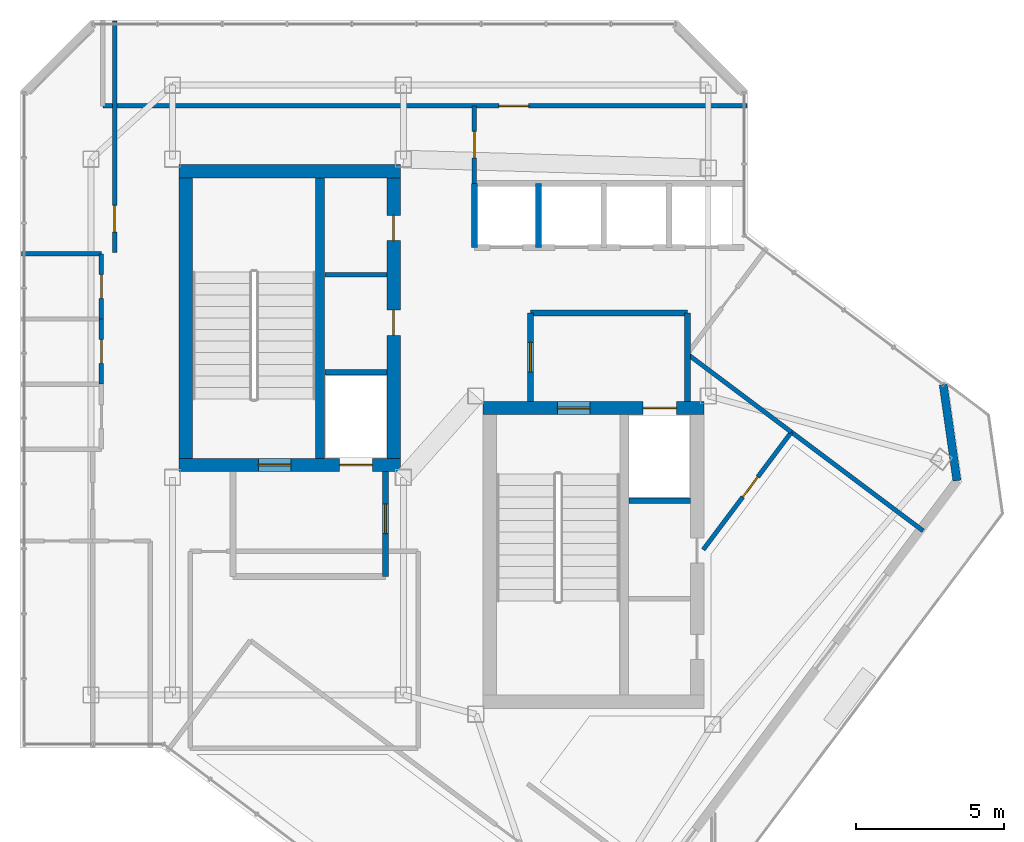
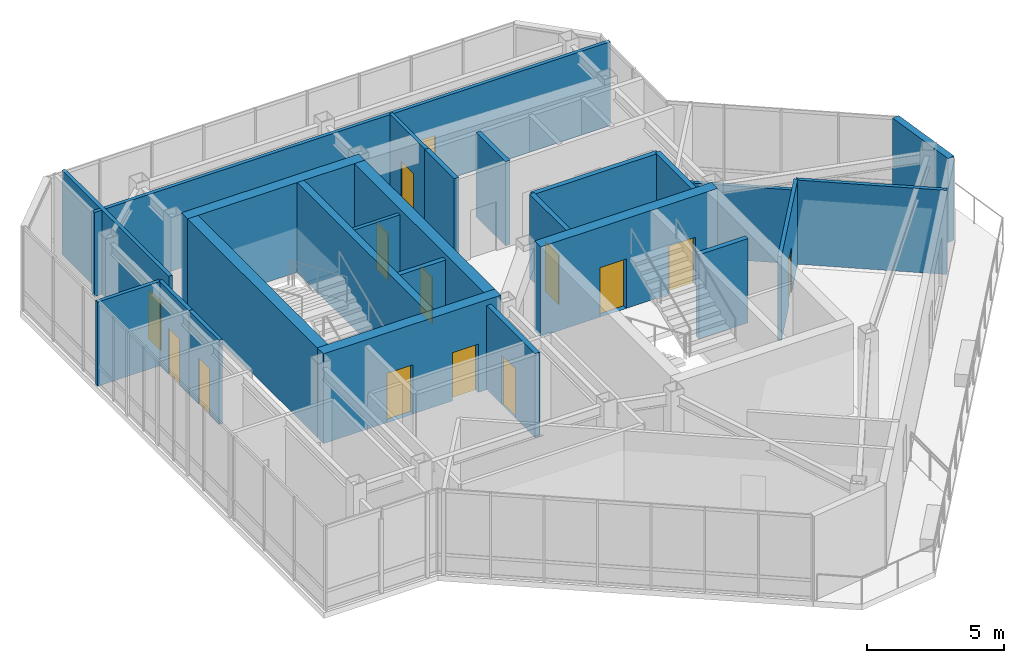
# One storey, part 19 of 23: 25 walls, 14 doors, 14 openings.
"""IFC4 building model written with IfcOpenShell, lengths in metres."""

from ifc_helpers import new_model, si_unit, direction, frame, frame_2d, origin, place, context, subcontext, project, spatial, rectangle, extrude, material, layer, layer_set, type_object, element, fill, save


model = new_model("IFC4")

# Units and contexts
model_context = context("Model", 3, precision=1e-05, world=origin(), true_north=direction((0.0, 1.0)))
body_context = subcontext(model_context, "Body", "Model", "MODEL_VIEW")
ifc_project = project(units=[si_unit("LENGTHUNIT", "METRE"), si_unit("AREAUNIT", "SQUARE_METRE"), si_unit("VOLUMEUNIT", "CUBIC_METRE"), si_unit("PLANEANGLEUNIT", "RADIAN"), si_unit("MASSUNIT", "GRAM", prefix="KILO")], contexts=[model_context])

# Site, building, storey
site_placement = place(None, origin())
site = spatial("IfcSite", under=ifc_project, at=site_placement, CompositionType="ELEMENT")
building_placement = place(site_placement, origin())
building = spatial("IfcBuilding", under=site, at=building_placement, Name="Hatsunagi Terrace Concourse", CompositionType="ELEMENT")
storey_placement = place(building_placement, frame((0.0, 0.0, 281.949951171875)))
storey = spatial("IfcBuildingStorey", under=building, at=storey_placement, Name="L74", CompositionType="ELEMENT", Elevation=281.949951171875)

# Wall, openings, doors
ifc_material_1 = material(Name="Concrete Fc42", Category="concrete")
ifc_layer_1 = layer(ifc_material_1, 0.449951171875)
ifc_layer_set_1 = layer_set([ifc_layer_1], Name="CoreShearWall_Fc42_450")
wall_type_1 = type_object("IfcWallType", Name="CoreShearWall_Fc42_450", PredefinedType="SHEAR", material=ifc_layer_set_1)
wall_1_placement = place(storey_placement, frame((25.77001953125, 32.965087890625, 0.0), z_axis=(0.0, 0.0, 1.0), x_axis=(1.0, 0.0, 0.0)))
wall_1 = element("IfcWall", 1, at=wall_1_placement, inside=storey, type_object=wall_type_1, Name="Core A Shear Wall S L74", PredefinedType="SHEAR", context=body_context, shape_type="SweptSolid", body=[
    extrude(rectangle(XDim=7.47998046875, YDim=0.449951171875, at=frame_2d((3.739990234375, 0.0))), origin(), (0.0, 0.0, 1.0), 4.0),
])
opening_1_placement = place(wall_1_placement, frame((2.679931640625, 0.0, 0.0)))
opening_1 = element("IfcOpeningElement", 2, at=opening_1_placement, cuts=wall_1, Name="Opening DR-110S", PredefinedType="OPENING", context=body_context, shape_type="SweptSolid", body=[
    extrude(rectangle(XDim=1.10009765625, YDim=2.199951171875, at=frame_2d((0.550048828125, 1.10009765625))), frame((0.0, 0.23486328125, 0.0), z_axis=(0.0, -1.0, 0.0), x_axis=(1.0, 0.0, 0.0)), (0.0, 0.0, 1.0), 0.469970703125),
])
opening_2_placement = place(wall_1_placement, frame((5.429931640625, 0.0, 0.0)))
opening_2 = element("IfcOpeningElement", 3, at=opening_2_placement, cuts=wall_1, Name="Opening LD-01", PredefinedType="OPENING", context=body_context, shape_type="SweptSolid", body=[
    extrude(rectangle(XDim=1.10009765625, YDim=2.14990234375, at=frame_2d((0.550048828125, 1.074951171875))), frame((0.0, 0.23486328125, 0.0), z_axis=(0.0, -1.0, 0.0), x_axis=(1.0, 0.0, 0.0)), (0.0, 0.0, 1.0), 0.469970703125),
])
ifc_material_2 = material(Name="Stainless steel", Category="steel")
door_type_1 = type_object("IfcDoorType", Name="LiftLandingDoor_LD01", OperationType="SLIDING_TO_LEFT", PredefinedType="USERDEFINED", material=ifc_material_2)
door_1_placement = place(opening_2_placement, origin())
door_1 = element("IfcDoor", 4, at=door_1_placement, inside=storey, type_object=door_type_1, Name="Lift landing door FF-01 L74", ObjectType="SLIDING_LANDING_DOOR", OperationType="SLIDING_TO_LEFT", OverallHeight=2.14990234375, OverallWidth=1.10009765625, PredefinedType="USERDEFINED", context=body_context, shape_type="SweptSolid", body=[
    extrude(rectangle(XDim=1.10009765625, YDim=2.14990234375, at=frame_2d((0.550048828125, 1.074951171875))), frame((0.0, 0.02490234375, 0.0), z_axis=(0.0, -1.0, 0.0), x_axis=(1.0, 0.0, 0.0)), (0.0, 0.0, 1.0), 0.050048828125),
])
fill(opening_2, door_1)
ifc_material_3 = material(Name="Painted steel", Category="steel")
door_type_2 = type_object("IfcDoorType", Name="StairFireDoor_EI60_1100", OperationType="NOTDEFINED", PredefinedType="DOOR", material=ifc_material_3)
door_2_placement = place(opening_1_placement, origin())
door_2 = element("IfcDoor", 5, at=door_2_placement, inside=storey, type_object=door_type_2, Name="Stair ST-A Exit Door L74", OperationType="SINGLE_SWING_LEFT", OverallHeight=2.199951171875, OverallWidth=1.10009765625, PredefinedType="DOOR", context=body_context, shape_type="SweptSolid", body=[
    extrude(rectangle(XDim=1.10009765625, YDim=2.199951171875, at=frame_2d((0.550048828125, 1.10009765625))), frame((0.0, 0.02490234375, 0.0), z_axis=(0.0, -1.0, 0.0), x_axis=(1.0, 0.0, 0.0)), (0.0, 0.0, 1.0), 0.050048828125),
])
fill(opening_1, door_2)

# Walls
wall_2_placement = place(storey_placement, frame((25.77001953125, 42.89501953125, 0.0), z_axis=(0.0, 0.0, 1.0), x_axis=(1.0, 0.0, 0.0)))
element("IfcWall", 6, at=wall_2_placement, inside=storey, type_object=wall_type_1, Name="Core A Shear Wall N L74", PredefinedType="SHEAR", context=body_context, shape_type="SweptSolid", body=[
    extrude(rectangle(XDim=7.47998046875, YDim=0.449951171875, at=frame_2d((3.739990234375, 0.0))), origin(), (0.0, 0.0, 1.0), 4.0),
])
wall_3_placement = place(storey_placement, frame((25.9951171875, 33.18994140625, 0.0), z_axis=(0.0, 0.0, 1.0), x_axis=(0.0, 1.0, 0.0)))
element("IfcWall", 7, at=wall_3_placement, inside=storey, type_object=wall_type_1, Name="Core A Shear Wall W L74", PredefinedType="SHEAR", context=body_context, shape_type="SweptSolid", body=[
    extrude(rectangle(XDim=9.47998046875, YDim=0.449951171875, at=frame_2d((4.739990234375, 0.0))), origin(), (0.0, 0.0, 1.0), 4.0),
])

# Wall, openings, doors
wall_4_placement = place(storey_placement, frame((33.02490234375, 33.18994140625, 0.0), z_axis=(0.0, 0.0, 1.0), x_axis=(0.0, 1.0, 0.0)))
wall_4 = element("IfcWall", 8, at=wall_4_placement, inside=storey, type_object=wall_type_1, Name="Core A Shear Wall E L74", PredefinedType="SHEAR", context=body_context, shape_type="SweptSolid", body=[
    extrude(rectangle(XDim=9.47998046875, YDim=0.449951171875, at=frame_2d((4.739990234375, 0.0))), origin(), (0.0, 0.0, 1.0), 4.0),
])
opening_3_placement = place(wall_4_placement, frame((4.159912109375, 0.0, 0.0)))
opening_3 = element("IfcOpeningElement", 9, at=opening_3_placement, cuts=wall_4, Name="Opening DR-085", PredefinedType="OPENING", context=body_context, shape_type="SweptSolid", body=[
    extrude(rectangle(XDim=0.85009765625, YDim=2.080078125, at=frame_2d((0.425048828125, 1.0400390625))), frame((0.0, 0.23486328125, 0.0), z_axis=(0.0, -1.0, 0.0), x_axis=(1.0, 0.0, 0.0)), (0.0, 0.0, 1.0), 0.469970703125),
])
opening_4_placement = place(wall_4_placement, frame((7.360107421875, 0.0, 0.0)))
opening_4 = element("IfcOpeningElement", 10, at=opening_4_placement, cuts=wall_4, Name="Opening DR-085", PredefinedType="OPENING", context=body_context, shape_type="SweptSolid", body=[
    extrude(rectangle(XDim=0.85009765625, YDim=2.080078125, at=frame_2d((0.425048828125, 1.0400390625))), frame((0.0, 0.23486328125, 0.0), z_axis=(0.0, -1.0, 0.0), x_axis=(1.0, 0.0, 0.0)), (0.0, 0.0, 1.0), 0.469970703125),
])
ifc_material_4 = material(Name="Painted steel", Category="steel")
door_type_3 = type_object("IfcDoorType", Name="RiserAccessDoor_EI60_850", OperationType="NOTDEFINED", PredefinedType="DOOR", material=ifc_material_4)
door_3_placement = place(opening_3_placement, origin())
door_3 = element("IfcDoor", 11, at=door_3_placement, inside=storey, type_object=door_type_3, Name="Core A Riser Door L74-1", OperationType="SINGLE_SWING_LEFT", OverallHeight=2.080078125, OverallWidth=0.85009765625, PredefinedType="DOOR", context=body_context, shape_type="SweptSolid", body=[
    extrude(rectangle(XDim=0.85009765625, YDim=2.080078125, at=frame_2d((0.425048828125, 1.0400390625))), frame((0.0, 0.02490234375, 0.0), z_axis=(0.0, -1.0, 0.0), x_axis=(1.0, 0.0, 0.0)), (0.0, 0.0, 1.0), 0.050048828125),
])
fill(opening_3, door_3)
door_4_placement = place(opening_4_placement, origin())
door_4 = element("IfcDoor", 12, at=door_4_placement, inside=storey, type_object=door_type_3, Name="Core A Riser Door L74-2", OperationType="SINGLE_SWING_LEFT", OverallHeight=2.080078125, OverallWidth=0.85009765625, PredefinedType="DOOR", context=body_context, shape_type="SweptSolid", body=[
    extrude(rectangle(XDim=0.85009765625, YDim=2.080078125, at=frame_2d((0.425048828125, 1.0400390625))), frame((0.0, 0.02490234375, 0.0), z_axis=(0.0, -1.0, 0.0), x_axis=(1.0, 0.0, 0.0)), (0.0, 0.0, 1.0), 0.050048828125),
])
fill(opening_4, door_4)

wall_5_placement = place(storey_placement, frame((36.0400390625, 34.89501953125, 0.0), z_axis=(0.0, 0.0, 1.0), x_axis=(1.0, 0.0, 0.0)))
wall_5 = element("IfcWall", 13, at=wall_5_placement, inside=storey, type_object=wall_type_1, Name="Core B Shear Wall N L74", PredefinedType="SHEAR", context=body_context, shape_type="SweptSolid", body=[
    extrude(rectangle(XDim=7.4599609375, YDim=0.449951171875, at=frame_2d((3.72998046875, 0.0))), origin(), (0.0, 0.0, 1.0), 4.0),
])
opening_5_placement = place(wall_5_placement, frame((2.510009765625, 0.0, 0.0)))
opening_5 = element("IfcOpeningElement", 14, at=opening_5_placement, cuts=wall_5, Name="Opening DR-110S", PredefinedType="OPENING", context=body_context, shape_type="SweptSolid", body=[
    extrude(rectangle(XDim=1.10009765625, YDim=2.199951171875, at=frame_2d((0.550048828125, 1.10009765625))), frame((0.0, 0.23486328125, 0.0), z_axis=(0.0, -1.0, 0.0), x_axis=(1.0, 0.0, 0.0)), (0.0, 0.0, 1.0), 0.469970703125),
])
opening_6_placement = place(wall_5_placement, frame((5.409912109375, 0.0, 0.0)))
opening_6 = element("IfcOpeningElement", 15, at=opening_6_placement, cuts=wall_5, Name="Opening LD-02", PredefinedType="OPENING", context=body_context, shape_type="SweptSolid", body=[
    extrude(rectangle(XDim=1.1201171875, YDim=2.14990234375, at=frame_2d((0.56005859375, 1.074951171875))), frame((0.0, 0.23486328125, 0.0), z_axis=(0.0, -1.0, 0.0), x_axis=(1.0, 0.0, 0.0)), (0.0, 0.0, 1.0), 0.469970703125),
])
ifc_material_5 = material(Name="Stainless steel", Category="steel")
door_type_4 = type_object("IfcDoorType", Name="LiftLandingDoor_LD02", OperationType="SLIDING_TO_RIGHT", PredefinedType="USERDEFINED", material=ifc_material_5)
door_5_placement = place(opening_6_placement, origin())
door_5 = element("IfcDoor", 16, at=door_5_placement, inside=storey, type_object=door_type_4, Name="Lift landing door FF-02 L74", ObjectType="SLIDING_LANDING_DOOR", OperationType="SLIDING_TO_RIGHT", OverallHeight=2.14990234375, OverallWidth=1.1201171875, PredefinedType="USERDEFINED", context=body_context, shape_type="SweptSolid", body=[
    extrude(rectangle(XDim=1.1201171875, YDim=2.14990234375, at=frame_2d((0.56005859375, 1.074951171875))), frame((0.0, 0.02490234375, 0.0), z_axis=(0.0, -1.0, 0.0), x_axis=(1.0, 0.0, 0.0)), (0.0, 0.0, 1.0), 0.050048828125),
])
fill(opening_6, door_5)
door_6_placement = place(opening_5_placement, origin())
door_6 = element("IfcDoor", 17, at=door_6_placement, inside=storey, type_object=door_type_2, Name="Stair ST-B Exit Door L74", OperationType="SINGLE_SWING_RIGHT", OverallHeight=2.199951171875, OverallWidth=1.10009765625, PredefinedType="DOOR", context=body_context, shape_type="SweptSolid", body=[
    extrude(rectangle(XDim=1.10009765625, YDim=2.199951171875, at=frame_2d((0.550048828125, 1.10009765625))), frame((0.0, 0.02490234375, 0.0), z_axis=(0.0, -1.0, 0.0), x_axis=(1.0, 0.0, 0.0)), (0.0, 0.0, 1.0), 0.050048828125),
])
fill(opening_5, door_6)

# Walls
ifc_material_6 = material(Name="Concrete Fc48", Category="concrete")
ifc_layer_2 = layer(ifc_material_6, 0.300048828125)
ifc_layer_set_2 = layer_set([ifc_layer_2], Name="CoreStairDivider_Fc48_300")
wall_type_2 = type_object("IfcWallType", Name="CoreStairDivider_Fc48_300", PredefinedType="SHEAR", material=ifc_layer_set_2)
wall_6_placement = place(storey_placement, frame((30.5400390625, 33.18994140625, 0.0), z_axis=(0.0, 0.0, 1.0), x_axis=(0.0, 1.0, 0.0)))
element("IfcWall", 18, at=wall_6_placement, inside=storey, type_object=wall_type_2, Name="Core A Shear Wall D L74", PredefinedType="SHEAR", context=body_context, shape_type="SweptSolid", body=[
    extrude(rectangle(XDim=9.47998046875, YDim=0.300048828125, at=frame_2d((4.739990234375, 0.0))), origin(), (0.0, 0.0, 1.0), 4.0),
])
ifc_material_7 = material(Name="Acoustic mineral board", Category="gypsum")
ifc_layer_3 = layer(ifc_material_7, 0.14990234375)
ifc_layer_set_3 = layer_set([ifc_layer_3], Name="PartitionWall_EI60_150")
wall_type_3 = type_object("IfcWallType", Name="PartitionWall_EI60_150", PredefinedType="PARTITIONING", material=ifc_layer_set_3)
wall_7_placement = place(storey_placement, frame((30.699951171875, 39.39990234375, 0.0), z_axis=(0.0, 0.0, 1.0), x_axis=(1.0, 0.0, 0.0)))
element("IfcWall", 19, at=wall_7_placement, inside=storey, type_object=wall_type_3, Name="Interior Partition IW-L74-002", PredefinedType="PARTITIONING", context=body_context, shape_type="SweptSolid", body=[
    extrude(rectangle(XDim=2.10009765625, YDim=0.14990234375, at=frame_2d((1.050048828125, 0.0))), origin(), (0.0, 0.0, 1.0), 3.75),
])
wall_8_placement = place(storey_placement, frame((20.449951171875, 40.10009765625, 0.0), z_axis=(0.0, 0.0, 1.0), x_axis=(1.0, 0.0, 0.0)))
element("IfcWall", 20, at=wall_8_placement, inside=storey, type_object=wall_type_3, Name="Interior Partition IW-L74-018", PredefinedType="PARTITIONING", context=body_context, shape_type="SweptSolid", body=[
    extrude(rectangle(XDim=2.699951171875, YDim=0.14990234375, at=frame_2d((1.35009765625, 0.0))), origin(), (0.0, 0.0, 1.0), 3.75),
])

# Wall, opening, door
wall_9_placement = place(storey_placement, frame((23.14990234375, 35.699951171875, 0.0), z_axis=(0.0, 0.0, 1.0), x_axis=(0.0, 1.0, 0.0)))
wall_9 = element("IfcWall", 21, at=wall_9_placement, inside=storey, type_object=wall_type_3, Name="Interior Partition IW-L74-022", PredefinedType="PARTITIONING", context=body_context, shape_type="SweptSolid", body=[
    extrude(rectangle(XDim=2.199951171875, YDim=0.14990234375, at=frame_2d((1.10009765625, 0.0))), origin(), (0.0, 0.0, 1.0), 3.75),
])
opening_7_placement = place(wall_9_placement, frame((0.699951171875, 0.0, 0.0)))
opening_7 = element("IfcOpeningElement", 22, at=opening_7_placement, cuts=wall_9, Name="Opening DR-080", PredefinedType="OPENING", context=body_context, shape_type="SweptSolid", body=[
    extrude(rectangle(XDim=0.800048828125, YDim=2.06005859375, at=frame_2d((0.39990234375, 1.030029296875))), frame((0.0, 0.0849609375, 0.0), z_axis=(0.0, -1.0, 0.0), x_axis=(1.0, 0.0, 0.0)), (0.0, 0.0, 1.0), 0.169921875),
])
ifc_material_8 = material(Name="Hardwood timber", Category="wood")
door_type_5 = type_object("IfcDoorType", Name="BathroomDoor_800", OperationType="NOTDEFINED", PredefinedType="DOOR", material=ifc_material_8)
door_7_placement = place(opening_7_placement, origin())
door_7 = element("IfcDoor", 23, at=door_7_placement, inside=storey, type_object=door_type_5, Name="Female Restroom Door L74", OperationType="SINGLE_SWING_LEFT", OverallHeight=2.06005859375, OverallWidth=0.800048828125, PredefinedType="DOOR", context=body_context, shape_type="SweptSolid", body=[
    extrude(rectangle(XDim=0.800048828125, YDim=2.06005859375, at=frame_2d((0.39990234375, 1.030029296875))), frame((0.0, 0.02490234375, 0.0), z_axis=(0.0, -1.0, 0.0), x_axis=(1.0, 0.0, 0.0)), (0.0, 0.0, 1.0), 0.050048828125),
])
fill(opening_7, door_7)

wall_10_placement = place(storey_placement, frame((23.14990234375, 37.89990234375, 0.0), z_axis=(0.0, 0.0, 1.0), x_axis=(0.0, 1.0, 0.0)))
wall_10 = element("IfcWall", 24, at=wall_10_placement, inside=storey, type_object=wall_type_3, Name="Interior Partition IW-L74-023", PredefinedType="PARTITIONING", context=body_context, shape_type="SweptSolid", body=[
    extrude(rectangle(XDim=2.2001953125, YDim=0.14990234375, at=frame_2d((1.10009765625, 0.0))), origin(), (0.0, 0.0, 1.0), 3.75),
])
opening_8_placement = place(wall_10_placement, frame((0.699951171875, 0.0, 0.0)))
opening_8 = element("IfcOpeningElement", 25, at=opening_8_placement, cuts=wall_10, Name="Opening DR-080", PredefinedType="OPENING", context=body_context, shape_type="SweptSolid", body=[
    extrude(rectangle(XDim=0.800048828125, YDim=2.06005859375, at=frame_2d((0.39990234375, 1.030029296875))), frame((0.0, 0.0849609375, 0.0), z_axis=(0.0, -1.0, 0.0), x_axis=(1.0, 0.0, 0.0)), (0.0, 0.0, 1.0), 0.169921875),
])
door_8_placement = place(opening_8_placement, origin())
door_8 = element("IfcDoor", 26, at=door_8_placement, inside=storey, type_object=door_type_5, Name="Male Restroom Door L74", OperationType="SINGLE_SWING_RIGHT", OverallHeight=2.06005859375, OverallWidth=0.800048828125, PredefinedType="DOOR", context=body_context, shape_type="SweptSolid", body=[
    extrude(rectangle(XDim=0.800048828125, YDim=2.06005859375, at=frame_2d((0.39990234375, 1.030029296875))), frame((0.0, 0.02490234375, 0.0), z_axis=(0.0, -1.0, 0.0), x_axis=(1.0, 0.0, 0.0)), (0.0, 0.0, 1.0), 0.050048828125),
])
fill(opening_8, door_8)

wall_11_placement = place(storey_placement, frame((23.199951171875, 45.10009765625, 0.0), z_axis=(0.0, 0.0, 1.0), x_axis=(1.0, 0.0, 0.0)))
wall_11 = element("IfcWall", 27, at=wall_11_placement, inside=storey, type_object=wall_type_3, Name="Interior Partition IW-L74-028", PredefinedType="PARTITIONING", context=body_context, shape_type="SweptSolid", body=[
    extrude(rectangle(XDim=21.760009765625, YDim=0.14990234375, at=frame_2d((10.8798828125, 0.0))), origin(), (0.0, 0.0, 1.0), 3.75),
])
opening_9_placement = place(wall_11_placement, frame((13.3798828125, 0.0, 0.0)))
opening_9 = element("IfcOpeningElement", 28, at=opening_9_placement, cuts=wall_11, Name="Opening DR-100S", PredefinedType="OPENING", context=body_context, shape_type="SweptSolid", body=[
    extrude(rectangle(XDim=1.0, YDim=2.14990234375, at=frame_2d((0.5, 1.074951171875))), frame((0.0, 0.0849609375, 0.0), z_axis=(0.0, -1.0, 0.0), x_axis=(1.0, 0.0, 0.0)), (0.0, 0.0, 1.0), 0.169921875),
])
ifc_material_9 = material(Name="Hardwood timber", Category="wood")
door_type_6 = type_object("IfcDoorType", Name="SuiteDoor_EI30_1000", OperationType="NOTDEFINED", PredefinedType="DOOR", material=ifc_material_9)
door_9_placement = place(opening_9_placement, origin())
door_9 = element("IfcDoor", 29, at=door_9_placement, inside=storey, type_object=door_type_6, Name="VIP Lounge L74-CRN1 Door", OperationType="SINGLE_SWING_RIGHT", OverallHeight=2.14990234375, OverallWidth=1.0, PredefinedType="DOOR", context=body_context, shape_type="SweptSolid", body=[
    extrude(rectangle(XDim=1.0, YDim=2.14990234375, at=frame_2d((0.5, 1.074951171875))), frame((0.0, 0.02490234375, 0.0), z_axis=(0.0, -1.0, 0.0), x_axis=(1.0, 0.0, 0.0)), (0.0, 0.0, 1.0), 0.050048828125),
])
fill(opening_9, door_9)

wall_12_placement = place(storey_placement, frame((35.75, 42.47998046875, 0.0), z_axis=(0.0, 0.0, 1.0), x_axis=(0.0, 1.0, 0.0)))
wall_12 = element("IfcWall", 30, at=wall_12_placement, inside=storey, type_object=wall_type_3, Name="Interior Partition IW-L74-030", PredefinedType="PARTITIONING", context=body_context, shape_type="SweptSolid", body=[
    extrude(rectangle(XDim=2.6201171875, YDim=0.14990234375, at=frame_2d((1.31005859375, 0.0))), origin(), (0.0, 0.0, 1.0), 3.75),
])
opening_10_placement = place(wall_12_placement, frame((0.860107421875, 0.0, 0.0)))
opening_10 = element("IfcOpeningElement", 31, at=opening_10_placement, cuts=wall_12, Name="Opening DR-090", PredefinedType="OPENING", context=body_context, shape_type="SweptSolid", body=[
    extrude(rectangle(XDim=0.89990234375, YDim=2.14990234375, at=frame_2d((0.449951171875, 1.074951171875))), frame((0.0, 0.0849609375, 0.0), z_axis=(0.0, -1.0, 0.0), x_axis=(1.0, 0.0, 0.0)), (0.0, 0.0, 1.0), 0.169921875),
])
ifc_material_10 = material(Name="Hardwood timber", Category="wood")
door_type_7 = type_object("IfcDoorType", Name="CrownPavilionDoor_EI30_900", OperationType="NOTDEFINED", PredefinedType="DOOR", material=ifc_material_10)
door_10_placement = place(opening_10_placement, origin())
door_10 = element("IfcDoor", 32, at=door_10_placement, inside=storey, type_object=door_type_7, Name="Crown Tea Salon L74-CRTEA Door", OperationType="SINGLE_SWING_RIGHT", OverallHeight=2.14990234375, OverallWidth=0.89990234375, PredefinedType="DOOR", context=body_context, shape_type="SweptSolid", body=[
    extrude(rectangle(XDim=0.89990234375, YDim=2.14990234375, at=frame_2d((0.449951171875, 1.074951171875))), frame((0.0, 0.02490234375, 0.0), z_axis=(0.0, -1.0, 0.0), x_axis=(1.0, 0.0, 0.0)), (0.0, 0.0, 1.0), 0.050048828125),
])
fill(opening_10, door_10)

wall_13_placement = place(storey_placement, frame((23.60009765625, 40.14990234375, 0.0), z_axis=(0.0, 0.0, 1.0), x_axis=(0.0, 1.0, 0.0)))
wall_13 = element("IfcWall", 33, at=wall_13_placement, inside=storey, type_object=wall_type_3, Name="Interior Partition IW-L74-036", PredefinedType="PARTITIONING", context=body_context, shape_type="SweptSolid", body=[
    extrude(rectangle(XDim=7.81005859375, YDim=0.14990234375, at=frame_2d((3.905029296875, 0.0))), origin(), (0.0, 0.0, 1.0), 3.75),
])
opening_11_placement = place(wall_13_placement, frame((0.68798828125, 0.0, 0.0)))
opening_11 = element("IfcOpeningElement", 34, at=opening_11_placement, cuts=wall_13, Name="Opening DR-090", PredefinedType="OPENING", context=body_context, shape_type="SweptSolid", body=[
    extrude(rectangle(XDim=0.89990234375, YDim=2.14990234375, at=frame_2d((0.449951171875, 1.074951171875))), frame((0.0, 0.0849609375, 0.0), z_axis=(0.0, -1.0, 0.0), x_axis=(1.0, 0.0, 0.0)), (0.0, 0.0, 1.0), 0.169921875),
])
door_11_placement = place(opening_11_placement, origin())
door_11 = element("IfcDoor", 35, at=door_11_placement, inside=storey, type_object=door_type_7, Name="Crown Executive Suite L74-CRNW Door", OperationType="SINGLE_SWING_RIGHT", OverallHeight=2.14990234375, OverallWidth=0.89990234375, PredefinedType="DOOR", context=body_context, shape_type="SweptSolid", body=[
    extrude(rectangle(XDim=0.89990234375, YDim=2.14990234375, at=frame_2d((0.449951171875, 1.074951171875))), frame((0.0, 0.02490234375, 0.0), z_axis=(0.0, -1.0, 0.0), x_axis=(1.0, 0.0, 0.0)), (0.0, 0.0, 1.0), 0.050048828125),
])
fill(opening_11, door_11)

# Wall
wall_14_placement = place(storey_placement, frame((46.4599609375, 34.080078125, 0.0), z_axis=(0.0, 0.0, 1.0), x_axis=(0.799984192361, -0.600021076273, 0.0)))
element("IfcWall", 36, at=wall_14_placement, inside=storey, type_object=wall_type_3, Name="Interior Partition IW-L74-040", PredefinedType="PARTITIONING", context=body_context, shape_type="SweptSolid", body=[
    extrude(rectangle(XDim=5.56005859375, YDim=0.14990234375, at=frame_2d((2.780029296875, 0.0))), origin(), (0.0, 0.0, 1.0), 3.75),
])

# Wall, opening, door
wall_15_placement = place(storey_placement, frame((43.47998046875, 30.10693359375, 0.0), z_axis=(0.0, 0.0, 1.0), x_axis=(0.600015730265, 0.799988202059, 0.0)))
wall_15 = element("IfcWall", 37, at=wall_15_placement, inside=storey, type_object=wall_type_3, Name="Interior Partition IW-L74-041", PredefinedType="PARTITIONING", context=body_context, shape_type="SweptSolid", body=[
    extrude(rectangle(XDim=4.966552734375, YDim=0.14990234375, at=frame_2d((2.4833984375, 0.0))), origin(), (0.0, 0.0, 1.0), 3.75),
])
opening_12_placement = place(wall_15_placement, frame((2.22607421875, 0.0, 0.0)))
opening_12 = element("IfcOpeningElement", 38, at=opening_12_placement, cuts=wall_15, Name="Opening DR-085", PredefinedType="OPENING", context=body_context, shape_type="SweptSolid", body=[
    extrude(rectangle(XDim=0.85009765625, YDim=2.080078125, at=frame_2d((0.425048828125, 1.0400390625))), frame((0.0, 0.0849609375, 0.0), z_axis=(0.0, -1.0, 0.0), x_axis=(1.0, 0.0, 0.0)), (0.0, 0.0, 1.0), 0.169921875),
])
door_12_placement = place(opening_12_placement, origin())
door_12 = element("IfcDoor", 39, at=door_12_placement, inside=storey, type_object=door_type_3, Name="Botanical Lounge L74-CR3A Door", OperationType="SINGLE_SWING_RIGHT", OverallHeight=2.080078125, OverallWidth=0.85009765625, PredefinedType="DOOR", context=body_context, shape_type="SweptSolid", body=[
    extrude(rectangle(XDim=0.85009765625, YDim=2.080078125, at=frame_2d((0.425048828125, 1.0400390625))), frame((0.0, 0.02490234375, 0.0), z_axis=(0.0, -1.0, 0.0), x_axis=(1.0, 0.0, 0.0)), (0.0, 0.0, 1.0), 0.050048828125),
])
fill(opening_12, door_12)

# Walls
wall_16_placement = place(storey_placement, frame((42.93994140625, 36.719970703125, 0.0), z_axis=(0.0, 0.0, 1.0), x_axis=(0.800013316712, -0.599982243973, 0.0)))
element("IfcWall", 40, at=wall_16_placement, inside=storey, type_object=wall_type_3, Name="Interior Partition IW-L74-042", PredefinedType="PARTITIONING", context=body_context, shape_type="SweptSolid", body=[
    extrude(rectangle(XDim=4.39990234375, YDim=0.14990234375, at=frame_2d((2.199951171875, 0.0))), origin(), (0.0, 0.0, 1.0), 3.295166015625),
])
ifc_material_11 = material(Name="Acoustic mineral board", Category="gypsum")
ifc_layer_4 = layer(ifc_material_11, 0.199951171875)
ifc_layer_set_4 = layer_set([ifc_layer_4], Name="ShaftWall_EI120_200")
wall_type_4 = type_object("IfcWallType", Name="ShaftWall_EI120_200", PredefinedType="STANDARD", material=ifc_layer_set_4)
wall_17_placement = place(storey_placement, frame((30.699951171875, 36.10009765625, 0.0), z_axis=(0.0, 0.0, 1.0), x_axis=(1.0, 0.0, 0.0)))
element("IfcWall", 41, at=wall_17_placement, inside=storey, type_object=wall_type_4, Name="Interior Partition IW-L74-001", PredefinedType="STANDARD", context=body_context, shape_type="SweptSolid", body=[
    extrude(rectangle(XDim=2.10009765625, YDim=0.199951171875, at=frame_2d((1.050048828125, 0.0))), origin(), (0.0, 0.0, 1.0), 3.75),
])
wall_18_placement = place(storey_placement, frame((40.969970703125, 31.760009765625, 0.0), z_axis=(0.0, 0.0, 1.0), x_axis=(1.0, 0.0, 0.0)))
element("IfcWall", 42, at=wall_18_placement, inside=storey, type_object=wall_type_4, Name="Interior Partition IW-L74-003", PredefinedType="STANDARD", context=body_context, shape_type="SweptSolid", body=[
    extrude(rectangle(XDim=2.080078125, YDim=0.199951171875, at=frame_2d((1.0400390625, 0.0))), origin(), (0.0, 0.0, 1.0), 3.75),
])

# Wall, opening, door
wall_19_placement = place(storey_placement, frame((32.75, 29.199951171875, 0.0), z_axis=(0.0, 0.0, 1.0), x_axis=(0.0, 1.0, 0.0)))
wall_19 = element("IfcWall", 43, at=wall_19_placement, inside=storey, type_object=wall_type_4, Name="Interior Partition IW-L74-007", PredefinedType="STANDARD", context=body_context, shape_type="SweptSolid", body=[
    extrude(rectangle(XDim=3.5400390625, YDim=0.199951171875, at=frame_2d((1.77001953125, 0.0))), origin(), (0.0, 0.0, 1.0), 3.75),
])
opening_13_placement = place(wall_19_placement, frame((1.449951171875, 0.0, 0.0)))
opening_13 = element("IfcOpeningElement", 44, at=opening_13_placement, cuts=wall_19, Name="Opening DR-100F", PredefinedType="OPENING", context=body_context, shape_type="SweptSolid", body=[
    extrude(rectangle(XDim=1.0, YDim=2.199951171875, at=frame_2d((0.5, 1.10009765625))), frame((0.0, 0.10986328125, 0.0), z_axis=(0.0, -1.0, 0.0), x_axis=(1.0, 0.0, 0.0)), (0.0, 0.0, 1.0), 0.219970703125),
])
ifc_material_12 = material(Name="Painted steel", Category="steel")
door_type_8 = type_object("IfcDoorType", Name="FireDoor_EI60_1000", OperationType="NOTDEFINED", PredefinedType="DOOR", material=ifc_material_12)
door_13_placement = place(opening_13_placement, origin())
door_13 = element("IfcDoor", 45, at=door_13_placement, inside=storey, type_object=door_type_8, Name="Firefighting Lobby A Door L74", OperationType="SINGLE_SWING_RIGHT", OverallHeight=2.199951171875, OverallWidth=1.0, PredefinedType="DOOR", context=body_context, shape_type="SweptSolid", body=[
    extrude(rectangle(XDim=1.0, YDim=2.199951171875, at=frame_2d((0.5, 1.10009765625))), frame((0.0, 0.02490234375, 0.0), z_axis=(0.0, -1.0, 0.0), x_axis=(1.0, 0.0, 0.0)), (0.0, 0.0, 1.0), 0.050048828125),
])
fill(opening_13, door_13)

# Walls
wall_20_placement = place(storey_placement, frame((37.64990234375, 38.10009765625, 0.0), z_axis=(0.0, 0.0, 1.0), x_axis=(1.0, 0.0, 0.0)))
element("IfcWall", 46, at=wall_20_placement, inside=storey, type_object=wall_type_4, Name="Interior Partition IW-L74-008", PredefinedType="STANDARD", context=body_context, shape_type="SweptSolid", body=[
    extrude(rectangle(XDim=5.300048828125, YDim=0.199951171875, at=frame_2d((2.64990234375, 0.0))), origin(), (0.0, 0.0, 1.0), 3.75),
])
wall_21_placement = place(storey_placement, frame((42.949951171875, 35.1201171875, 0.0), z_axis=(0.0, 0.0, 1.0), x_axis=(0.0, 1.0, 0.0)))
element("IfcWall", 47, at=wall_21_placement, inside=storey, type_object=wall_type_4, Name="Interior Partition IW-L74-009", PredefinedType="STANDARD", context=body_context, shape_type="SweptSolid", body=[
    extrude(rectangle(XDim=2.97998046875, YDim=0.199951171875, at=frame_2d((1.489990234375, 0.0))), origin(), (0.0, 0.0, 1.0), 3.75),
])

# Wall, opening, door
wall_22_placement = place(storey_placement, frame((37.64990234375, 35.1201171875, 0.0), z_axis=(0.0, 0.0, 1.0), x_axis=(0.0, 1.0, 0.0)))
wall_22 = element("IfcWall", 48, at=wall_22_placement, inside=storey, type_object=wall_type_4, Name="Interior Partition IW-L74-010", PredefinedType="STANDARD", context=body_context, shape_type="SweptSolid", body=[
    extrude(rectangle(XDim=2.97998046875, YDim=0.199951171875, at=frame_2d((1.489990234375, 0.0))), origin(), (0.0, 0.0, 1.0), 3.75),
])
opening_14_placement = place(wall_22_placement, frame((0.989990234375, 0.0, 0.0)))
opening_14 = element("IfcOpeningElement", 49, at=opening_14_placement, cuts=wall_22, Name="Opening DR-100F", PredefinedType="OPENING", context=body_context, shape_type="SweptSolid", body=[
    extrude(rectangle(XDim=1.0, YDim=2.199951171875, at=frame_2d((0.5, 1.10009765625))), frame((0.0, 0.10986328125, 0.0), z_axis=(0.0, -1.0, 0.0), x_axis=(1.0, 0.0, 0.0)), (0.0, 0.0, 1.0), 0.219970703125),
])
door_14_placement = place(opening_14_placement, origin())
door_14 = element("IfcDoor", 50, at=door_14_placement, inside=storey, type_object=door_type_8, Name="Firefighting Lobby B Door L74", OperationType="SINGLE_SWING_RIGHT", OverallHeight=2.199951171875, OverallWidth=1.0, PredefinedType="DOOR", context=body_context, shape_type="SweptSolid", body=[
    extrude(rectangle(XDim=1.0, YDim=2.199951171875, at=frame_2d((0.5, 1.10009765625))), frame((0.0, 0.02490234375, 0.0), z_axis=(0.0, -1.0, 0.0), x_axis=(1.0, 0.0, 0.0)), (0.0, 0.0, 1.0), 0.050048828125),
])
fill(opening_14, door_14)

# Walls
for number, where, z_axis, x_axis, name in (
    (51, (35.75, 40.320068359375, 0.0), (0.0, 0.0, 1.0), (0.0, 1.0, 0.0), "Interior Partition IW-L74-012"),
    (52, (37.919921875, 40.320068359375, 0.0), (0.0, 0.0, 1.0), (0.0, 1.0, 0.0), "Interior Partition IW-L74-013"),
):
    element("IfcWall", number, at=place(storey_placement, frame(where, z_axis=z_axis, x_axis=x_axis)), inside=storey, type_object=wall_type_4, Name=name, PredefinedType="STANDARD", context=body_context, shape_type="SweptSolid", body=[
        extrude(rectangle(XDim=2.159912109375, YDim=0.199951171875, at=frame_2d((1.080078125, 0.0))), origin(), (0.0, 0.0, 1.0), 3.75),
    ])
ifc_material_13 = material(Name="Autoclaved Lightweight Concrete and Terracotta Cladding", Category="masonry")
ifc_layer_5 = layer(ifc_material_13, 0.280029296875)
ifc_layer_set_5 = layer_set([ifc_layer_5], Name="TerracottaSpandrelWall_280")
wall_type_5 = type_object("IfcWallType", Name="TerracottaSpandrelWall_280", PredefinedType="STANDARD", material=ifc_layer_set_5)
wall_23_placement = place(storey_placement, frame((51.590087890625, 35.68310546875, 0.0), z_axis=(0.0, 0.0, 1.0), x_axis=(0.141212810973, -0.989979263428, 0.0)))
element("IfcWall", 53, at=wall_23_placement, inside=storey, type_object=wall_type_5, Name="Exterior Spandrel Wall EW-L74-02", PredefinedType="STANDARD", context=body_context, shape_type="SweptSolid", body=[
    extrude(rectangle(XDim=3.278076171875, YDim=0.280029296875, at=frame_2d((1.63916015625, 0.0))), origin(), (0.0, 0.0, 1.0), 3.75),
])

save(model, "model.ifc")
